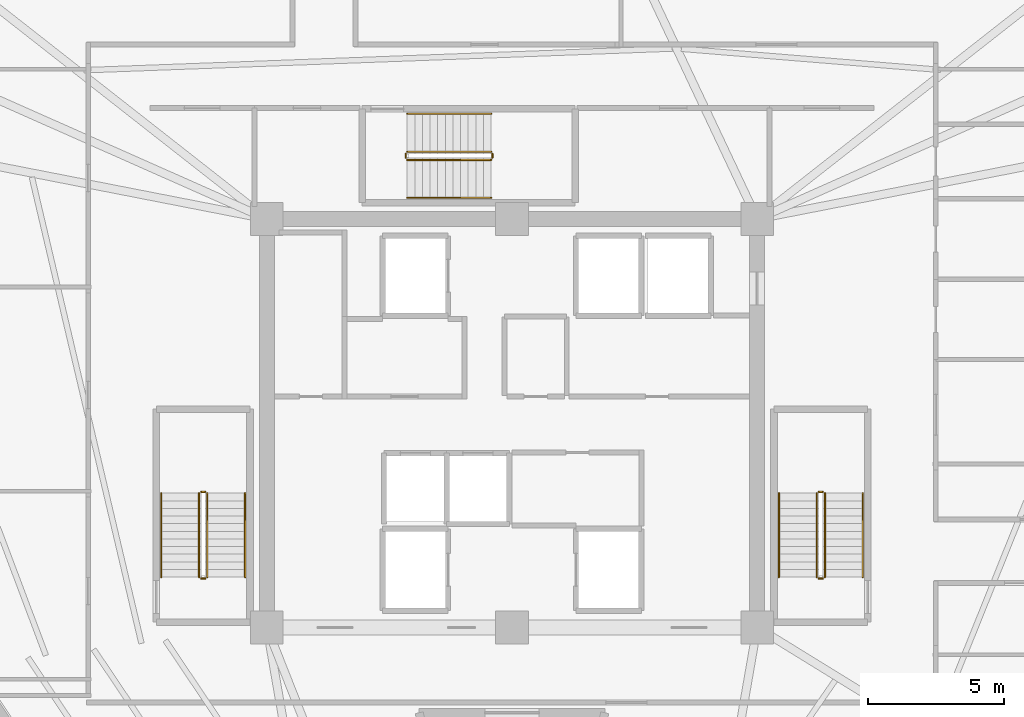
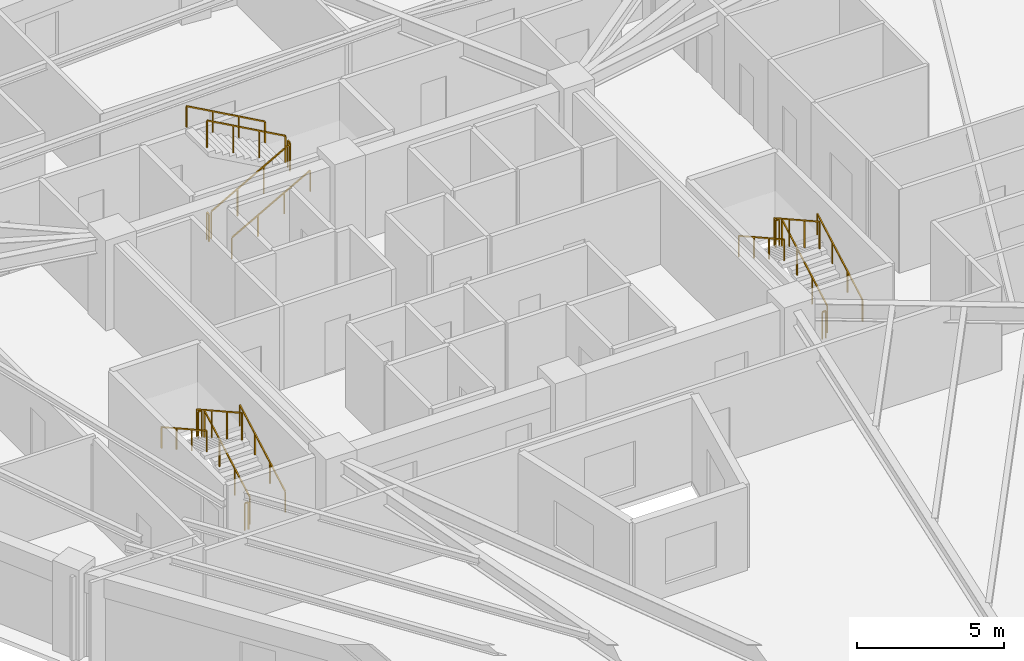
# One storey, part 8 of 8: 18 railings.
"""IFC4 building model written with IfcOpenShell, lengths in metres."""

from ifc_helpers import new_model, si_unit, direction, frame, origin, origin_2d, place, context, subcontext, project, spatial, rectangle, extrude, material, type_object, element, save


model = new_model("IFC4")

# Units and contexts
model_context = context("Model", 3, precision=1e-05, world=origin(), true_north=direction((0.0, 1.0)))
body_context = subcontext(model_context, "Body", "Model", "MODEL_VIEW")
ifc_project = project(units=[si_unit("LENGTHUNIT", "METRE"), si_unit("AREAUNIT", "SQUARE_METRE"), si_unit("VOLUMEUNIT", "CUBIC_METRE"), si_unit("PLANEANGLEUNIT", "RADIAN"), si_unit("MASSUNIT", "GRAM", prefix="KILO")], contexts=[model_context])

# Site, building, storey
site_placement = place(None, origin())
site = spatial("IfcSite", under=ifc_project, at=site_placement, CompositionType="ELEMENT")
building_placement = place(site_placement, origin())
building = spatial("IfcBuilding", under=site, at=building_placement, Name="Liaohun Quay Tower", CompositionType="ELEMENT")
storey_placement = place(building_placement, frame((0.0, 0.0, 320.25)))
storey = spatial("IfcBuildingStorey", under=building, at=storey_placement, Name="L83", CompositionType="ELEMENT", Elevation=320.25)

# Railings
ifc_material_1 = material(Name="Painted tubular steel", Category="steel")
railing_type_1 = type_object("IfcRailingType", Name="RLG-GUARD-STR", PredefinedType="GUARDRAIL", material=ifc_material_1)
railing_1_placement = place(storey_placement, frame((48.81005859375, 48.35009765625, 0.15625)))
element("IfcRailing", 1, at=railing_1_placement, inside=storey, type_object=railing_type_1, Name="L83 ST-1 stair guard 1", PredefinedType="GUARDRAIL", context=body_context, shape_type="SweptSolid", body=[
    extrude(rectangle(XDim=0.048095703125, YDim=0.048095703125, at=origin_2d()), frame((0.0, 0.0, 1.1259765625), z_axis=(0.0, 0.873225103656, 0.487317061414), x_axis=(-1.0, 0.0, 0.0)), (0.0, 0.0, 1.0), 3.52685546875),
    extrude(rectangle(XDim=0.0419921875, YDim=0.0419921875, at=origin_2d()), origin(), (0.0, 0.0, 1.0), 1.101806640625),
    extrude(rectangle(XDim=0.0419921875, YDim=0.0419921875, at=origin_2d()), frame((0.0, 1.026611328125, 0.572998046875)), (0.0, 0.0, 1.0), 1.101806640625),
    extrude(rectangle(XDim=0.0419921875, YDim=0.0419921875, at=origin_2d()), frame((0.0, 2.05322265625, 1.145751953125)), (0.0, 0.0, 1.0), 1.101806640625),
    extrude(rectangle(XDim=0.0419921875, YDim=0.0419921875, at=origin_2d()), frame((0.0, 3.079833984375, 1.71875)), (0.0, 0.0, 1.0), 1.101806640625),
])
railing_2_placement = place(storey_placement, frame((48.72998046875, 51.47998046875, 1.875)))
element("IfcRailing", 2, at=railing_2_placement, inside=storey, type_object=railing_type_1, Name="L83 ST-1 stair guard 2", PredefinedType="GUARDRAIL", context=body_context, shape_type="SweptSolid", body=[
    extrude(rectangle(XDim=0.048095703125, YDim=0.048095703125, at=origin_2d()), frame((0.0, 0.0, 1.1259765625), z_axis=(-1.0, 0.0, 0.0), x_axis=(0.0, -1.0, 0.0)), (0.0, 0.0, 1.0), 0.139892578125),
    extrude(rectangle(XDim=0.0419921875, YDim=0.0419921875, at=origin_2d()), origin(), (0.0, 0.0, 1.0), 1.101806640625),
    extrude(rectangle(XDim=0.0419921875, YDim=0.0419921875, at=origin_2d()), frame((-0.139892578125, 0.0, 0.0)), (0.0, 0.0, 1.0), 1.101806640625),
])
railing_3_placement = place(storey_placement, frame((48.510009765625, 51.429931640625, 2.03125)))
element("IfcRailing", 3, at=railing_3_placement, inside=storey, type_object=railing_type_1, Name="L83 ST-1 stair guard 3", PredefinedType="GUARDRAIL", context=body_context, shape_type="SweptSolid", body=[
    extrude(rectangle(XDim=0.048095703125, YDim=0.048095703125, at=origin_2d()), frame((0.0, 0.0, 1.1259765625), z_axis=(0.0, -0.873225103656, 0.487317061414), x_axis=(1.0, 0.0, 0.0)), (0.0, 0.0, 1.0), 3.52685546875),
    extrude(rectangle(XDim=0.0419921875, YDim=0.0419921875, at=origin_2d()), origin(), (0.0, 0.0, 1.0), 1.101806640625),
    extrude(rectangle(XDim=0.0419921875, YDim=0.0419921875, at=origin_2d()), frame((0.0, -1.026611328125, 0.572998046875)), (0.0, 0.0, 1.0), 1.101806640625),
    extrude(rectangle(XDim=0.0419921875, YDim=0.0419921875, at=origin_2d()), frame((0.0, -2.05322265625, 1.145751953125)), (0.0, 0.0, 1.0), 1.101806640625),
    extrude(rectangle(XDim=0.0419921875, YDim=0.0419921875, at=origin_2d()), frame((0.0, -3.079833984375, 1.71875)), (0.0, 0.0, 1.0), 1.101806640625),
])
railing_4_placement = place(storey_placement, frame((48.72998046875, 48.300048828125, 0.0)))
element("IfcRailing", 4, at=railing_4_placement, inside=storey, type_object=railing_type_1, Name="L83 ST-1 stair guard 4", PredefinedType="GUARDRAIL", context=body_context, shape_type="SweptSolid", body=[
    extrude(rectangle(XDim=0.048095703125, YDim=0.048095703125, at=origin_2d()), frame((0.0, 0.0, 1.1259765625), z_axis=(-1.0, 0.0, 0.0), x_axis=(0.0, -1.0, 0.0)), (0.0, 0.0, 1.0), 0.139892578125),
    extrude(rectangle(XDim=0.0419921875, YDim=0.0419921875, at=origin_2d()), origin(), (0.0, 0.0, 1.0), 1.101806640625),
    extrude(rectangle(XDim=0.0419921875, YDim=0.0419921875, at=origin_2d()), frame((-0.139892578125, 0.0, 0.0)), (0.0, 0.0, 1.0), 1.101806640625),
])
railing_5_placement = place(storey_placement, frame((71.489990234375, 48.35009765625, 0.15625)))
element("IfcRailing", 5, at=railing_5_placement, inside=storey, type_object=railing_type_1, Name="L83 ST-2 stair guard 1", PredefinedType="GUARDRAIL", context=body_context, shape_type="SweptSolid", body=[
    extrude(rectangle(XDim=0.048095703125, YDim=0.048095703125, at=origin_2d()), frame((0.0, 0.0, 1.1259765625), z_axis=(0.0, 0.873225103656, 0.487317061414), x_axis=(-1.0, 0.0, 0.0)), (0.0, 0.0, 1.0), 3.52685546875),
    extrude(rectangle(XDim=0.0419921875, YDim=0.0419921875, at=origin_2d()), origin(), (0.0, 0.0, 1.0), 1.101806640625),
    extrude(rectangle(XDim=0.0419921875, YDim=0.0419921875, at=origin_2d()), frame((0.0, 1.026611328125, 0.572998046875)), (0.0, 0.0, 1.0), 1.101806640625),
    extrude(rectangle(XDim=0.0419921875, YDim=0.0419921875, at=origin_2d()), frame((0.0, 2.05322265625, 1.145751953125)), (0.0, 0.0, 1.0), 1.101806640625),
    extrude(rectangle(XDim=0.0419921875, YDim=0.0419921875, at=origin_2d()), frame((0.0, 3.079833984375, 1.71875)), (0.0, 0.0, 1.0), 1.101806640625),
])
railing_6_placement = place(storey_placement, frame((71.409912109375, 51.47998046875, 1.875)))
element("IfcRailing", 6, at=railing_6_placement, inside=storey, type_object=railing_type_1, Name="L83 ST-2 stair guard 2", PredefinedType="GUARDRAIL", context=body_context, shape_type="SweptSolid", body=[
    extrude(rectangle(XDim=0.048095703125, YDim=0.048095703125, at=origin_2d()), frame((0.0, 0.0, 1.1259765625), z_axis=(-1.0, 0.0, 0.0), x_axis=(0.0, -1.0, 0.0)), (0.0, 0.0, 1.0), 0.139892578125),
    extrude(rectangle(XDim=0.0419921875, YDim=0.0419921875, at=origin_2d()), origin(), (0.0, 0.0, 1.0), 1.101806640625),
    extrude(rectangle(XDim=0.0419921875, YDim=0.0419921875, at=origin_2d()), frame((-0.139892578125, 0.0, 0.0)), (0.0, 0.0, 1.0), 1.101806640625),
])
railing_7_placement = place(storey_placement, frame((71.18994140625, 51.429931640625, 2.03125)))
element("IfcRailing", 7, at=railing_7_placement, inside=storey, type_object=railing_type_1, Name="L83 ST-2 stair guard 3", PredefinedType="GUARDRAIL", context=body_context, shape_type="SweptSolid", body=[
    extrude(rectangle(XDim=0.048095703125, YDim=0.048095703125, at=origin_2d()), frame((0.0, 0.0, 1.1259765625), z_axis=(0.0, -0.873225103656, 0.487317061414), x_axis=(1.0, 0.0, 0.0)), (0.0, 0.0, 1.0), 3.52685546875),
    extrude(rectangle(XDim=0.0419921875, YDim=0.0419921875, at=origin_2d()), origin(), (0.0, 0.0, 1.0), 1.101806640625),
    extrude(rectangle(XDim=0.0419921875, YDim=0.0419921875, at=origin_2d()), frame((0.0, -1.026611328125, 0.572998046875)), (0.0, 0.0, 1.0), 1.101806640625),
    extrude(rectangle(XDim=0.0419921875, YDim=0.0419921875, at=origin_2d()), frame((0.0, -2.05322265625, 1.145751953125)), (0.0, 0.0, 1.0), 1.101806640625),
    extrude(rectangle(XDim=0.0419921875, YDim=0.0419921875, at=origin_2d()), frame((0.0, -3.079833984375, 1.71875)), (0.0, 0.0, 1.0), 1.101806640625),
])
railing_8_placement = place(storey_placement, frame((71.409912109375, 48.300048828125, 0.0)))
element("IfcRailing", 8, at=railing_8_placement, inside=storey, type_object=railing_type_1, Name="L83 ST-2 stair guard 4", PredefinedType="GUARDRAIL", context=body_context, shape_type="SweptSolid", body=[
    extrude(rectangle(XDim=0.048095703125, YDim=0.048095703125, at=origin_2d()), frame((0.0, 0.0, 1.1259765625), z_axis=(-1.0, 0.0, 0.0), x_axis=(0.0, -1.0, 0.0)), (0.0, 0.0, 1.0), 0.139892578125),
    extrude(rectangle(XDim=0.0419921875, YDim=0.0419921875, at=origin_2d()), origin(), (0.0, 0.0, 1.0), 1.101806640625),
    extrude(rectangle(XDim=0.0419921875, YDim=0.0419921875, at=origin_2d()), frame((-0.139892578125, 0.0, 0.0)), (0.0, 0.0, 1.0), 1.101806640625),
])
railing_9_placement = place(storey_placement, frame((56.14990234375, 63.669921875, 0.15625)))
element("IfcRailing", 9, at=railing_9_placement, inside=storey, type_object=railing_type_1, Name="L83 ST-3 stair guard 1", PredefinedType="GUARDRAIL", context=body_context, shape_type="SweptSolid", body=[
    extrude(rectangle(XDim=0.048095703125, YDim=0.048095703125, at=origin_2d()), frame((0.0, 0.0, 1.1259765625), z_axis=(0.873241540666, 0.0, 0.487287606713), x_axis=(0.0, 1.0, 0.0)), (0.0, 0.0, 1.0), 3.527099609375),
    extrude(rectangle(XDim=0.0419921875, YDim=0.0419921875, at=origin_2d()), origin(), (0.0, 0.0, 1.0), 1.101806640625),
    extrude(rectangle(XDim=0.0419921875, YDim=0.0419921875, at=origin_2d()), frame((1.026611328125, 0.0, 0.572998046875)), (0.0, 0.0, 1.0), 1.101806640625),
    extrude(rectangle(XDim=0.0419921875, YDim=0.0419921875, at=origin_2d()), frame((2.053466796875, 0.0, 1.145751953125)), (0.0, 0.0, 1.0), 1.101806640625),
    extrude(rectangle(XDim=0.0419921875, YDim=0.0419921875, at=origin_2d()), frame((3.080078125, 0.0, 1.71875)), (0.0, 0.0, 1.0), 1.101806640625),
])
railing_10_placement = place(storey_placement, frame((59.280029296875, 63.75, 1.875)))
element("IfcRailing", 10, at=railing_10_placement, inside=storey, type_object=railing_type_1, Name="L83 ST-3 stair guard 2", PredefinedType="GUARDRAIL", context=body_context, shape_type="SweptSolid", body=[
    extrude(rectangle(XDim=0.048095703125, YDim=0.048095703125, at=origin_2d()), frame((0.0, 0.0, 1.1259765625), z_axis=(0.0, 1.0, 0.0), x_axis=(-1.0, 0.0, 0.0)), (0.0, 0.0, 1.0), 0.139892578125),
    extrude(rectangle(XDim=0.0419921875, YDim=0.0419921875, at=origin_2d()), origin(), (0.0, 0.0, 1.0), 1.101806640625),
    extrude(rectangle(XDim=0.0419921875, YDim=0.0419921875, at=origin_2d()), frame((0.0, 0.139892578125, 0.0)), (0.0, 0.0, 1.0), 1.101806640625),
])
railing_11_placement = place(storey_placement, frame((59.22998046875, 63.969970703125, 2.03125)))
element("IfcRailing", 11, at=railing_11_placement, inside=storey, type_object=railing_type_1, Name="L83 ST-3 stair guard 3", PredefinedType="GUARDRAIL", context=body_context, shape_type="SweptSolid", body=[
    extrude(rectangle(XDim=0.048095703125, YDim=0.048095703125, at=origin_2d()), frame((0.0, 0.0, 1.1259765625), z_axis=(-0.873241540666, 0.0, 0.487287606713), x_axis=(0.0, -1.0, 0.0)), (0.0, 0.0, 1.0), 3.527099609375),
    extrude(rectangle(XDim=0.0419921875, YDim=0.0419921875, at=origin_2d()), origin(), (0.0, 0.0, 1.0), 1.101806640625),
    extrude(rectangle(XDim=0.0419921875, YDim=0.0419921875, at=origin_2d()), frame((-1.026611328125, 0.0, 0.572998046875)), (0.0, 0.0, 1.0), 1.101806640625),
    extrude(rectangle(XDim=0.0419921875, YDim=0.0419921875, at=origin_2d()), frame((-2.053466796875, 0.0, 1.145751953125)), (0.0, 0.0, 1.0), 1.101806640625),
    extrude(rectangle(XDim=0.0419921875, YDim=0.0419921875, at=origin_2d()), frame((-3.080078125, 0.0, 1.71875)), (0.0, 0.0, 1.0), 1.101806640625),
])
railing_12_placement = place(storey_placement, frame((56.10009765625, 63.75, 0.0)))
element("IfcRailing", 12, at=railing_12_placement, inside=storey, type_object=railing_type_1, Name="L83 ST-3 stair guard 4", PredefinedType="GUARDRAIL", context=body_context, shape_type="SweptSolid", body=[
    extrude(rectangle(XDim=0.048095703125, YDim=0.048095703125, at=origin_2d()), frame((0.0, 0.0, 1.1259765625), z_axis=(0.0, 1.0, 0.0), x_axis=(-1.0, 0.0, 0.0)), (0.0, 0.0, 1.0), 0.139892578125),
    extrude(rectangle(XDim=0.0419921875, YDim=0.0419921875, at=origin_2d()), origin(), (0.0, 0.0, 1.0), 1.101806640625),
    extrude(rectangle(XDim=0.0419921875, YDim=0.0419921875, at=origin_2d()), frame((0.0, 0.139892578125, 0.0)), (0.0, 0.0, 1.0), 1.101806640625),
])
ifc_material_2 = material(Name="Brushed stainless steel", Category="steel")
railing_type_2 = type_object("IfcRailingType", Name="RLG-HND-STR", PredefinedType="HANDRAIL", material=ifc_material_2)
railing_13_placement = place(storey_placement, frame((50.199951171875, 48.35009765625, 0.15625)))
element("IfcRailing", 13, at=railing_13_placement, inside=storey, type_object=railing_type_2, Name="L83 ST-1 stair handrail 1", PredefinedType="HANDRAIL", context=body_context, shape_type="SweptSolid", body=[
    extrude(rectangle(XDim=0.048095703125, YDim=0.048095703125, at=origin_2d()), frame((0.0, 0.0, 0.8759765625), z_axis=(0.0, 0.873225103656, 0.487317061414), x_axis=(-1.0, 0.0, 0.0)), (0.0, 0.0, 1.0), 3.52685546875),
    extrude(rectangle(XDim=0.0419921875, YDim=0.0419921875, at=origin_2d()), origin(), (0.0, 0.0, 1.0), 0.851806640625),
    extrude(rectangle(XDim=0.0419921875, YDim=0.0419921875, at=origin_2d()), frame((0.0, 1.026611328125, 0.572998046875)), (0.0, 0.0, 1.0), 0.851806640625),
    extrude(rectangle(XDim=0.0419921875, YDim=0.0419921875, at=origin_2d()), frame((0.0, 2.05322265625, 1.145751953125)), (0.0, 0.0, 1.0), 0.851806640625),
    extrude(rectangle(XDim=0.0419921875, YDim=0.0419921875, at=origin_2d()), frame((0.0, 3.079833984375, 1.71875)), (0.0, 0.0, 1.0), 0.851806640625),
])
railing_14_placement = place(storey_placement, frame((47.1201171875, 51.429931640625, 2.03125)))
element("IfcRailing", 14, at=railing_14_placement, inside=storey, type_object=railing_type_2, Name="L83 ST-1 stair handrail 2", PredefinedType="HANDRAIL", context=body_context, shape_type="SweptSolid", body=[
    extrude(rectangle(XDim=0.048095703125, YDim=0.048095703125, at=origin_2d()), frame((0.0, 0.0, 0.8759765625), z_axis=(0.0, -0.873225103656, 0.487317061414), x_axis=(1.0, 0.0, 0.0)), (0.0, 0.0, 1.0), 3.52685546875),
    extrude(rectangle(XDim=0.0419921875, YDim=0.0419921875, at=origin_2d()), origin(), (0.0, 0.0, 1.0), 0.851806640625),
    extrude(rectangle(XDim=0.0419921875, YDim=0.0419921875, at=origin_2d()), frame((0.0, -1.026611328125, 0.572998046875)), (0.0, 0.0, 1.0), 0.851806640625),
    extrude(rectangle(XDim=0.0419921875, YDim=0.0419921875, at=origin_2d()), frame((0.0, -2.05322265625, 1.145751953125)), (0.0, 0.0, 1.0), 0.851806640625),
    extrude(rectangle(XDim=0.0419921875, YDim=0.0419921875, at=origin_2d()), frame((0.0, -3.079833984375, 1.71875)), (0.0, 0.0, 1.0), 0.851806640625),
])
railing_15_placement = place(storey_placement, frame((72.8798828125, 48.35009765625, 0.15625)))
element("IfcRailing", 15, at=railing_15_placement, inside=storey, type_object=railing_type_2, Name="L83 ST-2 stair handrail 1", PredefinedType="HANDRAIL", context=body_context, shape_type="SweptSolid", body=[
    extrude(rectangle(XDim=0.048095703125, YDim=0.048095703125, at=origin_2d()), frame((0.0, 0.0, 0.8759765625), z_axis=(0.0, 0.873225103656, 0.487317061414), x_axis=(-1.0, 0.0, 0.0)), (0.0, 0.0, 1.0), 3.52685546875),
    extrude(rectangle(XDim=0.0419921875, YDim=0.0419921875, at=origin_2d()), origin(), (0.0, 0.0, 1.0), 0.851806640625),
    extrude(rectangle(XDim=0.0419921875, YDim=0.0419921875, at=origin_2d()), frame((0.0, 1.026611328125, 0.572998046875)), (0.0, 0.0, 1.0), 0.851806640625),
    extrude(rectangle(XDim=0.0419921875, YDim=0.0419921875, at=origin_2d()), frame((0.0, 2.05322265625, 1.145751953125)), (0.0, 0.0, 1.0), 0.851806640625),
    extrude(rectangle(XDim=0.0419921875, YDim=0.0419921875, at=origin_2d()), frame((0.0, 3.079833984375, 1.71875)), (0.0, 0.0, 1.0), 0.851806640625),
])
railing_16_placement = place(storey_placement, frame((69.800048828125, 51.429931640625, 2.03125)))
element("IfcRailing", 16, at=railing_16_placement, inside=storey, type_object=railing_type_2, Name="L83 ST-2 stair handrail 2", PredefinedType="HANDRAIL", context=body_context, shape_type="SweptSolid", body=[
    extrude(rectangle(XDim=0.048095703125, YDim=0.048095703125, at=origin_2d()), frame((0.0, 0.0, 0.8759765625), z_axis=(0.0, -0.873225103656, 0.487317061414), x_axis=(1.0, 0.0, 0.0)), (0.0, 0.0, 1.0), 3.52685546875),
    extrude(rectangle(XDim=0.0419921875, YDim=0.0419921875, at=origin_2d()), origin(), (0.0, 0.0, 1.0), 0.851806640625),
    extrude(rectangle(XDim=0.0419921875, YDim=0.0419921875, at=origin_2d()), frame((0.0, -1.026611328125, 0.572998046875)), (0.0, 0.0, 1.0), 0.851806640625),
    extrude(rectangle(XDim=0.0419921875, YDim=0.0419921875, at=origin_2d()), frame((0.0, -2.05322265625, 1.145751953125)), (0.0, 0.0, 1.0), 0.851806640625),
    extrude(rectangle(XDim=0.0419921875, YDim=0.0419921875, at=origin_2d()), frame((0.0, -3.079833984375, 1.71875)), (0.0, 0.0, 1.0), 0.851806640625),
])
railing_17_placement = place(storey_placement, frame((56.14990234375, 62.280029296875, 0.15625)))
element("IfcRailing", 17, at=railing_17_placement, inside=storey, type_object=railing_type_2, Name="L83 ST-3 stair handrail 1", PredefinedType="HANDRAIL", context=body_context, shape_type="SweptSolid", body=[
    extrude(rectangle(XDim=0.048095703125, YDim=0.048095703125, at=origin_2d()), frame((0.0, 0.0, 0.8759765625), z_axis=(0.873241540666, 0.0, 0.487287606713), x_axis=(0.0, 1.0, 0.0)), (0.0, 0.0, 1.0), 3.527099609375),
    extrude(rectangle(XDim=0.0419921875, YDim=0.0419921875, at=origin_2d()), origin(), (0.0, 0.0, 1.0), 0.851806640625),
    extrude(rectangle(XDim=0.0419921875, YDim=0.0419921875, at=origin_2d()), frame((1.026611328125, 0.0, 0.572998046875)), (0.0, 0.0, 1.0), 0.851806640625),
    extrude(rectangle(XDim=0.0419921875, YDim=0.0419921875, at=origin_2d()), frame((2.053466796875, 0.0, 1.145751953125)), (0.0, 0.0, 1.0), 0.851806640625),
    extrude(rectangle(XDim=0.0419921875, YDim=0.0419921875, at=origin_2d()), frame((3.080078125, 0.0, 1.71875)), (0.0, 0.0, 1.0), 0.851806640625),
])
railing_18_placement = place(storey_placement, frame((59.22998046875, 65.360107421875, 2.03125)))
element("IfcRailing", 18, at=railing_18_placement, inside=storey, type_object=railing_type_2, Name="L83 ST-3 stair handrail 2", PredefinedType="HANDRAIL", context=body_context, shape_type="SweptSolid", body=[
    extrude(rectangle(XDim=0.048095703125, YDim=0.048095703125, at=origin_2d()), frame((0.0, 0.0, 0.8759765625), z_axis=(-0.873241540666, 0.0, 0.487287606713), x_axis=(0.0, -1.0, 0.0)), (0.0, 0.0, 1.0), 3.527099609375),
    extrude(rectangle(XDim=0.0419921875, YDim=0.0419921875, at=origin_2d()), origin(), (0.0, 0.0, 1.0), 0.851806640625),
    extrude(rectangle(XDim=0.0419921875, YDim=0.0419921875, at=origin_2d()), frame((-1.026611328125, 0.0, 0.572998046875)), (0.0, 0.0, 1.0), 0.851806640625),
    extrude(rectangle(XDim=0.0419921875, YDim=0.0419921875, at=origin_2d()), frame((-2.053466796875, 0.0, 1.145751953125)), (0.0, 0.0, 1.0), 0.851806640625),
    extrude(rectangle(XDim=0.0419921875, YDim=0.0419921875, at=origin_2d()), frame((-3.080078125, 0.0, 1.71875)), (0.0, 0.0, 1.0), 0.851806640625),
])

save(model, "model.ifc")
